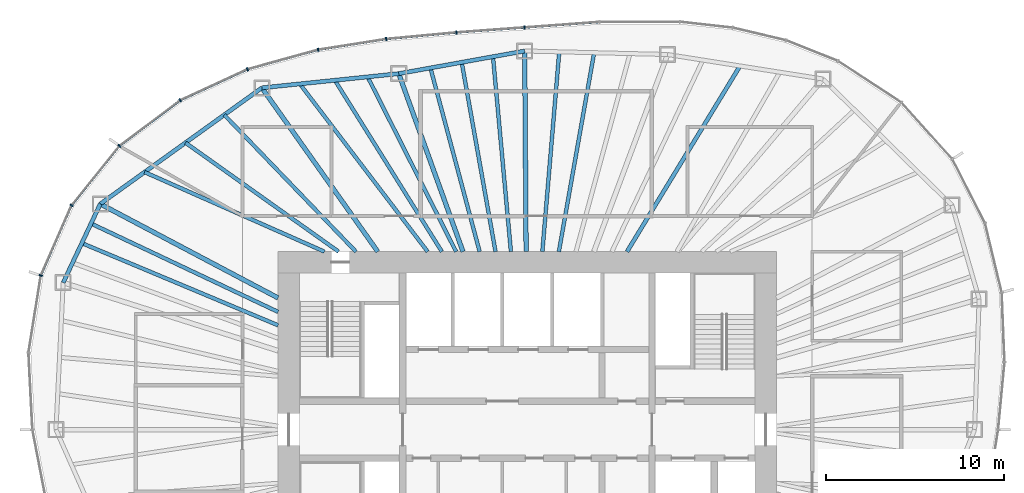
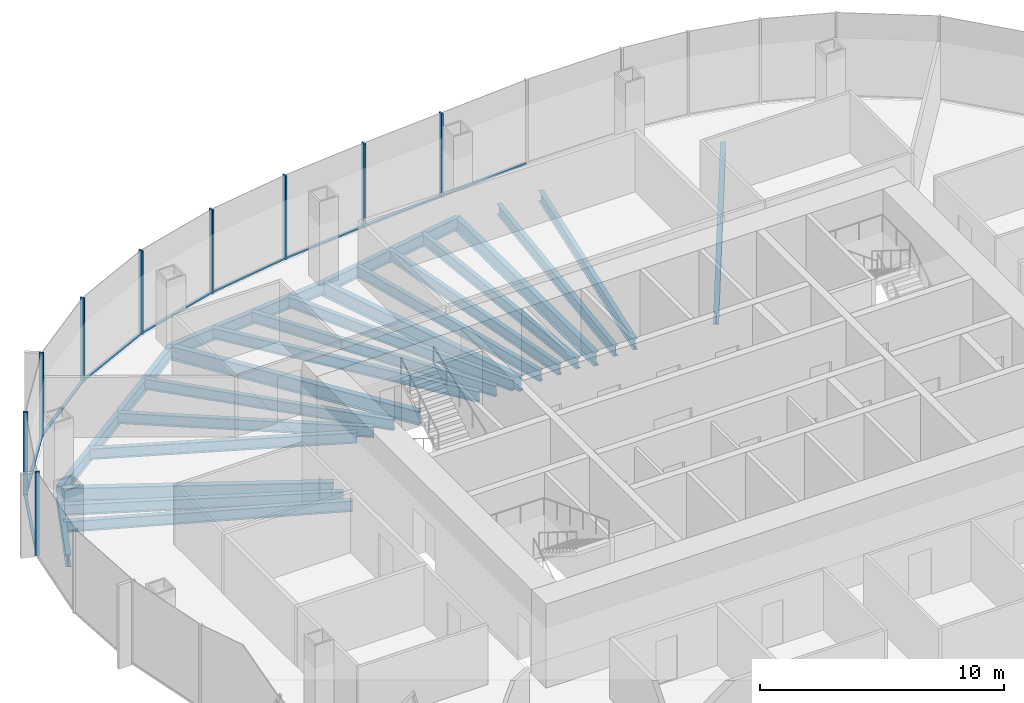
# One storey, part 5 of 11: 22 beams, 18 members, 6 elements without a shape of their own.
"""IFC4 building model written with IfcOpenShell, lengths in metres."""

from ifc_helpers import new_model, si_unit, direction, frame, origin, origin_2d, place, context, subcontext, project, spatial, rectangle, i_section, extrude, material, material_profile, profile_set, type_object, element, aggregate, save


model = new_model("IFC4")

# Units and contexts
model_context = context("Model", 3, precision=1e-05, world=origin(), true_north=direction((0.0, 1.0)))
body_context = subcontext(model_context, "Body", "Model", "MODEL_VIEW")
ifc_project = project(units=[si_unit("LENGTHUNIT", "METRE"), si_unit("AREAUNIT", "SQUARE_METRE"), si_unit("VOLUMEUNIT", "CUBIC_METRE"), si_unit("PLANEANGLEUNIT", "RADIAN"), si_unit("MASSUNIT", "GRAM", prefix="KILO")], contexts=[model_context])

# Site, building, storey
site_placement = place(None, origin())
site = spatial("IfcSite", under=ifc_project, at=site_placement, CompositionType="ELEMENT")
building_placement = place(site_placement, origin())
building = spatial("IfcBuilding", under=site, at=building_placement, Name="Ghaith Harvest Tower", CompositionType="ELEMENT")
storey_placement = place(building_placement, frame((0.0, 0.0, 262.0)))
storey = spatial("IfcBuildingStorey", under=building, at=storey_placement, Name="L58", CompositionType="ELEMENT", Elevation=262.0)

# Curtain wall, members
ifc_material_1 = material(Name="Black anodised aluminium and fritted glass", Category="aluminium")
curtain_wall_type = type_object("IfcCurtainWallType", Name="CW-H CURTAIN WALL", PredefinedType="NOTDEFINED", material=ifc_material_1)
curtain_wall_1_placement = place(storey_placement, origin())
curtain_wall_1 = element("IfcCurtainWall", 1, at=curtain_wall_1_placement, inside=storey, type_object=curtain_wall_type, Name="Curtain wall CW-H bay 06 L58", PredefinedType="NOTDEFINED")
ifc_material_2 = material(Name="Aluminium, black anodised", Category="aluminium")
ifc_material_profile_1 = material_profile(ifc_material_2, rectangle(XDim=0.080078125, YDim=0.199951171875, at=origin_2d()), Name="CW-H MULLION 80x200")
ifc_profile_set_1 = profile_set([ifc_material_profile_1], Name="Aluminium, black anodised")
member_type_1 = type_object("IfcMemberType", Name="CW-H MULLION 80x200", PredefinedType="MULLION", material=ifc_profile_set_1)
member_1_placement = place(storey_placement, frame((-0.154541015625, 22.590576171875, 0.0), z_axis=(0.0, 0.0, 1.0), x_axis=(-0.997329249665, -0.073036756239, 0.0)))
member_1 = element("IfcMember", 2, at=member_1_placement, type_object=member_type_1, Name="CW-H mullion 1 bay 06 L58", PredefinedType="MULLION", context=body_context, shape_type="SweptSolid", body=[
    extrude(rectangle(XDim=0.080078125, YDim=0.199951171875, at=origin_2d()), origin(), (0.0, 0.0, 1.0), 4.199951171875),
])
member_2_placement = place(storey_placement, frame((-3.984375, 22.310302734375, 0.0), z_axis=(0.0, 0.0, 1.0), x_axis=(-0.996522526822, -0.083323787336, 0.0)))
member_2 = element("IfcMember", 3, at=member_2_placement, type_object=member_type_1, Name="CW-H mullion 2 bay 06 L58", PredefinedType="MULLION", context=body_context, shape_type="SweptSolid", body=[
    extrude(rectangle(XDim=0.080078125, YDim=0.199951171875, at=origin_2d()), origin(), (0.0, 0.0, 1.0), 4.199951171875),
])

curtain_wall_2_placement = place(storey_placement, origin())
curtain_wall_2 = element("IfcCurtainWall", 4, at=curtain_wall_2_placement, inside=storey, type_object=curtain_wall_type, Name="Curtain wall CW-H bay 07 L58", PredefinedType="NOTDEFINED")
member_3_placement = place(storey_placement, frame((-7.924560546875, 21.94091796875, 0.0), z_axis=(0.0, 0.0, 1.0), x_axis=(-0.992235485325, -0.124373396119, 0.0)))
member_3 = element("IfcMember", 5, at=member_3_placement, type_object=member_type_1, Name="CW-H mullion 1 bay 07 L58", PredefinedType="MULLION", context=body_context, shape_type="SweptSolid", body=[
    extrude(rectangle(XDim=0.080078125, YDim=0.199951171875, at=origin_2d()), origin(), (0.0, 0.0, 1.0), 4.199951171875),
])
member_4_placement = place(storey_placement, frame((-11.75244140625, 21.336669921875, 0.0), z_axis=(0.0, 0.0, 1.0), x_axis=(-0.977086484172, -0.212842670646, 0.0)))
member_4 = element("IfcMember", 6, at=member_4_placement, type_object=member_type_1, Name="CW-H mullion 2 bay 07 L58", PredefinedType="MULLION", context=body_context, shape_type="SweptSolid", body=[
    extrude(rectangle(XDim=0.080078125, YDim=0.199951171875, at=origin_2d()), origin(), (0.0, 0.0, 1.0), 4.199951171875),
])

curtain_wall_3_placement = place(storey_placement, origin())
curtain_wall_3 = element("IfcCurtainWall", 7, at=curtain_wall_3_placement, inside=storey, type_object=curtain_wall_type, Name="Curtain wall CW-H bay 08 L58", PredefinedType="NOTDEFINED")
member_5_placement = place(storey_placement, frame((-15.720947265625, 20.242431640625, 0.0), z_axis=(0.0, 0.0, 1.0), x_axis=(-0.938930986476, -0.344105510906, 0.0)))
member_5 = element("IfcMember", 8, at=member_5_placement, type_object=member_type_1, Name="CW-H mullion 1 bay 08 L58", PredefinedType="MULLION", context=body_context, shape_type="SweptSolid", body=[
    extrude(rectangle(XDim=0.080078125, YDim=0.199951171875, at=origin_2d()), origin(), (0.0, 0.0, 1.0), 4.199951171875),
])
member_6_placement = place(storey_placement, frame((-19.4951171875, 18.4990234375, 0.0), z_axis=(0.0, 0.0, 1.0), x_axis=(-0.857998754004, -0.513651767376, 0.0)))
member_6 = element("IfcMember", 9, at=member_6_placement, type_object=member_type_1, Name="CW-H mullion 2 bay 08 L58", PredefinedType="MULLION", context=body_context, shape_type="SweptSolid", body=[
    extrude(rectangle(XDim=0.080078125, YDim=0.199951171875, at=origin_2d()), origin(), (0.0, 0.0, 1.0), 4.199951171875),
])

curtain_wall_4_placement = place(storey_placement, origin())
curtain_wall_4 = element("IfcCurtainWall", 10, at=curtain_wall_4_placement, inside=storey, type_object=curtain_wall_type, Name="Curtain wall CW-H bay 09 L58", PredefinedType="NOTDEFINED")
member_7_placement = place(storey_placement, frame((-22.908203125, 15.939697265625, 0.0), z_axis=(0.0, 0.0, 1.0), x_axis=(-0.719146135082, -0.694858860774, 0.0)))
member_7 = element("IfcMember", 11, at=member_7_placement, type_object=member_type_1, Name="CW-H mullion 1 bay 09 L58", PredefinedType="MULLION", context=body_context, shape_type="SweptSolid", body=[
    extrude(rectangle(XDim=0.080078125, YDim=0.199951171875, at=origin_2d()), origin(), (0.0, 0.0, 1.0), 4.199951171875),
])
member_8_placement = place(storey_placement, frame((-25.599609375, 12.6005859375, 0.0), z_axis=(0.0, 0.0, 1.0), x_axis=(-0.518769201232, -0.854914332464, 0.0)))
member_8 = element("IfcMember", 12, at=member_8_placement, type_object=member_type_1, Name="CW-H mullion 2 bay 09 L58", PredefinedType="MULLION", context=body_context, shape_type="SweptSolid", body=[
    extrude(rectangle(XDim=0.080078125, YDim=0.199951171875, at=origin_2d()), origin(), (0.0, 0.0, 1.0), 4.199951171875),
])

# Curtain wall, member
curtain_wall_5_placement = place(storey_placement, origin())
curtain_wall_5 = element("IfcCurtainWall", 13, at=curtain_wall_5_placement, inside=storey, type_object=curtain_wall_type, Name="Curtain wall CW-H bay 10 L58", PredefinedType="NOTDEFINED")
member_9_placement = place(storey_placement, frame((-27.32568359375, 8.659912109375, 0.0), z_axis=(0.0, 0.0, 1.0), x_axis=(-0.280520268431, -0.959848102045, 0.0)))
member_9 = element("IfcMember", 14, at=member_9_placement, type_object=member_type_1, Name="CW-H mullion 1 bay 10 L58", PredefinedType="MULLION", context=body_context, shape_type="SweptSolid", body=[
    extrude(rectangle(XDim=0.080078125, YDim=0.199951171875, at=origin_2d()), origin(), (0.0, 0.0, 1.0), 4.199951171875),
])
aggregate(curtain_wall_5, [member_9])

curtain_wall_6_placement = place(storey_placement, origin())
curtain_wall_6 = element("IfcCurtainWall", 15, at=curtain_wall_6_placement, inside=storey, type_object=curtain_wall_type, Name="Curtain wall CW-H bay 05 L58", PredefinedType="NOTDEFINED")
ifc_material_3 = material(Name="Aluminium, black anodised", Category="aluminium")
ifc_material_profile_2 = material_profile(ifc_material_3, rectangle(XDim=0.1298828125, YDim=0.080078125, at=origin_2d()), Name="CW-H TRANSOM 130x80")
ifc_profile_set_2 = profile_set([ifc_material_profile_2], Name="Aluminium, black anodised")
member_type_2 = type_object("IfcMemberType", Name="CW-H TRANSOM 130x80", PredefinedType="USERDEFINED", material=ifc_profile_set_2)
member_10_placement = place(storey_placement, frame((4.01953125, 22.896484375, 0.0400390625), z_axis=(-0.997325457985, -0.07308851384, 0.0), x_axis=(0.07308851384, -0.997325457985, 0.0)))
member_10 = element("IfcMember", 16, at=member_10_placement, type_object=member_type_2, Name="CW-H transom 2 bay 05 L58", ObjectType="TRANSOM", PredefinedType="USERDEFINED", context=body_context, shape_type="SweptSolid", body=[
    extrude(rectangle(XDim=0.1298828125, YDim=0.080078125, at=origin_2d()), origin(), (0.0, 0.0, 1.0), 4.145263671875),
])
aggregate(curtain_wall_6, [member_10])

# Member
member_11_placement = place(storey_placement, frame((-0.194580078125, 22.587646484375, 0.0400390625), z_axis=(-0.997332916649, -0.072986665689, 0.0), x_axis=(0.072986665689, -0.997332916649, 0.0)))
member_11 = element("IfcMember", 17, at=member_11_placement, type_object=member_type_2, Name="CW-H transom 1 bay 06 L58", ObjectType="TRANSOM", PredefinedType="USERDEFINED", context=body_context, shape_type="SweptSolid", body=[
    extrude(rectangle(XDim=0.1298828125, YDim=0.080078125, at=origin_2d()), origin(), (0.0, 0.0, 1.0), 3.759765625),
])

member_12_placement = place(storey_placement, frame((-4.024169921875, 22.306640625, 0.0400390625), z_axis=(-0.995631116984, -0.093373866217, 0.0), x_axis=(0.093373866217, -0.995631116984, 0.0)))
member_12 = element("IfcMember", 18, at=member_12_placement, type_object=member_type_2, Name="CW-H transom 2 bay 06 L58", ObjectType="TRANSOM", PredefinedType="USERDEFINED", context=body_context, shape_type="SweptSolid", body=[
    extrude(rectangle(XDim=0.1298828125, YDim=0.080078125, at=origin_2d()), origin(), (0.0, 0.0, 1.0), 3.87744140625),
])

aggregate(curtain_wall_1, [member_1, member_11, member_2, member_12])

member_13_placement = place(storey_placement, frame((-7.964111328125, 21.9345703125, 0.0400390625), z_axis=(-0.98776765914, -0.155932843097, 0.0), x_axis=(0.155932843097, -0.98776765914, 0.0)))
member_13 = element("IfcMember", 19, at=member_13_placement, type_object=member_type_2, Name="CW-H transom 1 bay 07 L58", ObjectType="TRANSOM", PredefinedType="USERDEFINED", context=body_context, shape_type="SweptSolid", body=[
    extrude(rectangle(XDim=0.1298828125, YDim=0.080078125, at=origin_2d()), origin(), (0.0, 0.0, 1.0), 3.795166015625),
])

member_14_placement = place(storey_placement, frame((-11.791015625, 21.325927734375, 0.0400390625), z_axis=(-0.964038584245, -0.265762315024, 0.0), x_axis=(0.265762315024, -0.964038584245, 0.0)))
member_14 = element("IfcMember", 20, at=member_14_placement, type_object=member_type_2, Name="CW-H transom 2 bay 07 L58", ObjectType="TRANSOM", PredefinedType="USERDEFINED", context=body_context, shape_type="SweptSolid", body=[
    extrude(rectangle(XDim=0.1298828125, YDim=0.080078125, at=origin_2d()), origin(), (0.0, 0.0, 1.0), 4.03662109375),
])

aggregate(curtain_wall_2, [member_3, member_13, member_4, member_14])

member_15_placement = place(storey_placement, frame((-15.75732421875, 20.2255859375, 0.0400390625), z_axis=(-0.907831404762, -0.419335355686, 0.0), x_axis=(0.419335355686, -0.907831404762, 0.0)))
member_15 = element("IfcMember", 21, at=member_15_placement, type_object=member_type_2, Name="CW-H transom 1 bay 08 L58", ObjectType="TRANSOM", PredefinedType="USERDEFINED", context=body_context, shape_type="SweptSolid", body=[
    extrude(rectangle(XDim=0.1298828125, YDim=0.080078125, at=origin_2d()), origin(), (0.0, 0.0, 1.0), 4.0771484375),
])

member_16_placement = place(storey_placement, frame((-19.527099609375, 18.47509765625, 0.0400390625), z_axis=(-0.800041988873, -0.599944010755, 0.0), x_axis=(0.599944010755, -0.800041988873, 0.0)))
member_16 = element("IfcMember", 22, at=member_16_placement, type_object=member_type_2, Name="CW-H transom 2 bay 08 L58", ObjectType="TRANSOM", PredefinedType="USERDEFINED", context=body_context, shape_type="SweptSolid", body=[
    extrude(rectangle(XDim=0.1298828125, YDim=0.080078125, at=origin_2d()), origin(), (0.0, 0.0, 1.0), 4.186279296875),
])

aggregate(curtain_wall_3, [member_5, member_15, member_6, member_16])

member_17_placement = place(storey_placement, frame((-22.933349609375, 15.90869140625, 0.0400390625), z_axis=(-0.6275347306, -0.778588570357, 0.0), x_axis=(0.778588570357, -0.6275347306, 0.0)))
member_17 = element("IfcMember", 23, at=member_17_placement, type_object=member_type_2, Name="CW-H transom 1 bay 09 L58", ObjectType="TRANSOM", PredefinedType="USERDEFINED", context=body_context, shape_type="SweptSolid", body=[
    extrude(rectangle(XDim=0.1298828125, YDim=0.080078125, at=origin_2d()), origin(), (0.0, 0.0, 1.0), 4.208740234375),
])

member_18_placement = place(storey_placement, frame((-25.61572265625, 12.56396484375, 0.0400390625), z_axis=(-0.401185844746, -0.915996680112, 0.0), x_axis=(0.915996680112, -0.401185844746, 0.0)))
member_18 = element("IfcMember", 24, at=member_18_placement, type_object=member_type_2, Name="CW-H transom 2 bay 09 L58", ObjectType="TRANSOM", PredefinedType="USERDEFINED", context=body_context, shape_type="SweptSolid", body=[
    extrude(rectangle(XDim=0.1298828125, YDim=0.080078125, at=origin_2d()), origin(), (0.0, 0.0, 1.0), 4.22216796875),
])

aggregate(curtain_wall_4, [member_7, member_17, member_8, member_18])

# Beams
ifc_material_4 = material(Name="Steel ASTM A992 Grade 50", Category="steel")
ifc_material_profile_3 = material_profile(ifc_material_4, i_section(OverallWidth=0.22900390625, OverallDepth=0.612060546875, WebThickness=0.011962890625, FlangeThickness=0.01953125, at=origin_2d()), Name="W610X125")
ifc_profile_set_3 = profile_set([ifc_material_profile_3], Name="Steel ASTM A992 Grade 50")
beam_type_1 = type_object("IfcBeamType", Name="E610-125 W610X125", PredefinedType="SPANDREL", material=ifc_profile_set_3)
beam_1_placement = place(storey_placement, frame((-0.14599609375, 21.27099609375, -0.47607421875), z_axis=(-0.984177047684, -0.177187863051, 0.0), x_axis=(0.177187863051, -0.984177047684, 0.0)))
element("IfcBeam", 25, at=beam_1_placement, inside=storey, type_object=beam_type_1, Name="Edge beam E06 L58", PredefinedType="SPANDREL", context=body_context, shape_type="SweptSolid", body=[
    extrude(i_section(OverallWidth=0.22900390625, OverallDepth=0.612060546875, WebThickness=0.011962890625, FlangeThickness=0.01953125, at=origin_2d()), origin(), (0.0, 0.0, 1.0), 7.189697265625),
])
beam_2_placement = place(storey_placement, frame((-7.221923828125, 19.9970703125, -0.47607421875), z_axis=(-0.994669141618, -0.103117887451, 0.0), x_axis=(0.103117887451, -0.994669141618, 0.0)))
element("IfcBeam", 26, at=beam_2_placement, inside=storey, type_object=beam_type_1, Name="Edge beam E07 L58", PredefinedType="SPANDREL", context=body_context, shape_type="SweptSolid", body=[
    extrude(i_section(OverallWidth=0.22900390625, OverallDepth=0.612060546875, WebThickness=0.011962890625, FlangeThickness=0.01953125, at=origin_2d()), origin(), (0.0, 0.0, 1.0), 7.730224609375),
])
beam_3_placement = place(storey_placement, frame((-14.910888671875, 19.199951171875, -0.47607421875), z_axis=(-0.812050311838, -0.583587432219, 0.0), x_axis=(0.583587432219, -0.812050311838, 0.0)))
element("IfcBeam", 27, at=beam_3_placement, inside=storey, type_object=beam_type_1, Name="Edge beam E08 L58", PredefinedType="SPANDREL", context=body_context, shape_type="SweptSolid", body=[
    extrude(i_section(OverallWidth=0.22900390625, OverallDepth=0.612060546875, WebThickness=0.011962890625, FlangeThickness=0.01953125, at=origin_2d()), origin(), (0.0, 0.0, 1.0), 11.175537109375),
])
beam_4_placement = place(storey_placement, frame((-23.986083984375, 12.677978515625, -0.47607421875), z_axis=(-0.426170247297, -0.904642979478, 0.0), x_axis=(0.904642979478, -0.426170247297, 0.0)))
element("IfcBeam", 28, at=beam_4_placement, inside=storey, type_object=beam_type_1, Name="Edge beam E09 L58", PredefinedType="SPANDREL", context=body_context, shape_type="SweptSolid", body=[
    extrude(i_section(OverallWidth=0.22900390625, OverallDepth=0.612060546875, WebThickness=0.011962890625, FlangeThickness=0.01953125, at=origin_2d()), origin(), (0.0, 0.0, 1.0), 4.882568359375),
])
ifc_material_5 = material(Name="Steel ASTM A992 Grade 50", Category="steel")
ifc_material_profile_4 = material_profile(ifc_material_5, i_section(OverallWidth=0.256103515625, OverallDepth=0.693115234375, WebThickness=0.014404296875, FlangeThickness=0.023681640625, at=origin_2d()), Name="W690X170")
ifc_profile_set_4 = profile_set([ifc_material_profile_4], Name="Steel ASTM A992 Grade 50")
beam_type_2 = type_object("IfcBeamType", Name="G690-170 W690X170", PredefinedType="BEAM", material=ifc_profile_set_4)
beam_5_placement = place(storey_placement, frame((-0.068359375, 10.0, -0.5166015625), z_axis=(-0.006888022705, 0.99997627729, 0.0), x_axis=(-0.99997627729, -0.006888022705, 0.0)))
element("IfcBeam", 29, at=beam_5_placement, inside=storey, type_object=beam_type_2, Name="Radial girder G06 L58", PredefinedType="BEAM", context=body_context, shape_type="SweptSolid", body=[
    extrude(i_section(OverallWidth=0.256103515625, OverallDepth=0.693115234375, WebThickness=0.014404296875, FlangeThickness=0.023681640625, at=origin_2d()), origin(), (0.0, 0.0, 1.0), 11.271240234375),
])
beam_6_placement = place(storey_placement, frame((-3.61181640625, 10.0, -0.5166015625), z_axis=(-0.339648979266, 0.940552269086, 0.0), x_axis=(-0.940552269086, -0.339648979266, 0.0)))
element("IfcBeam", 30, at=beam_6_placement, inside=storey, type_object=beam_type_2, Name="Radial girder G07 L58", PredefinedType="BEAM", context=body_context, shape_type="SweptSolid", body=[
    extrude(i_section(OverallWidth=0.256103515625, OverallDepth=0.693115234375, WebThickness=0.014404296875, FlangeThickness=0.023681640625, at=origin_2d()), origin(), (0.0, 0.0, 1.0), 10.62890625),
])
beam_7_placement = place(storey_placement, frame((-8.39990234375, 10.0, -0.5166015625), z_axis=(-0.577683734365, 0.816260683268, 0.0), x_axis=(-0.816260683268, -0.577683734365, 0.0)))
element("IfcBeam", 31, at=beam_7_placement, inside=storey, type_object=beam_type_2, Name="Radial girder G08 L58", PredefinedType="BEAM", context=body_context, shape_type="SweptSolid", body=[
    extrude(i_section(OverallWidth=0.256103515625, OverallDepth=0.693115234375, WebThickness=0.014404296875, FlangeThickness=0.023681640625, at=origin_2d()), origin(), (0.0, 0.0, 1.0), 11.270751953125),
])
beam_8_placement = place(storey_placement, frame((-14.0, 7.39990234375, -0.5166015625), z_axis=(-0.884105273337, 0.467287776062, 0.0), x_axis=(-0.467287776062, -0.884105273337, 0.0)))
element("IfcBeam", 32, at=beam_8_placement, inside=storey, type_object=beam_type_2, Name="Radial girder G09 L58", PredefinedType="BEAM", context=body_context, shape_type="SweptSolid", body=[
    extrude(i_section(OverallWidth=0.256103515625, OverallDepth=0.693115234375, WebThickness=0.014404296875, FlangeThickness=0.023681640625, at=origin_2d()), origin(), (0.0, 0.0, 1.0), 11.295166015625),
])
ifc_material_6 = material(Name="Steel ASTM A992 Grade 50", Category="steel")
ifc_material_profile_5 = material_profile(ifc_material_6, i_section(OverallWidth=0.2109375, OverallDepth=0.5390625, WebThickness=0.01171875, FlangeThickness=0.018798828125, at=origin_2d()), Name="W530X109")
ifc_profile_set_5 = profile_set([ifc_material_profile_5], Name="Steel ASTM A992 Grade 50")
beam_type_3 = type_object("IfcBeamType", Name="J530-109 W530X109", PredefinedType="JOIST", material=ifc_profile_set_5)
beam_9_placement = place(storey_placement, frame((1.772705078125, 10.0, -0.439453125), z_axis=(0.17455599258, 0.984647249249, 0.0), x_axis=(-0.984647249249, 0.17455599258, 0.0)))
element("IfcBeam", 33, at=beam_9_placement, inside=storey, type_object=beam_type_3, Name="Joist J05.2 L58", PredefinedType="JOIST", context=body_context, shape_type="SweptSolid", body=[
    extrude(i_section(OverallWidth=0.2109375, OverallDepth=0.5390625, WebThickness=0.01171875, FlangeThickness=0.018798828125, at=origin_2d()), origin(), (0.0, 0.0, 1.0), 11.3486328125),
])
beam_10_placement = place(storey_placement, frame((0.844970703125, 10.0, -0.439453125), z_axis=(0.084213263804, 0.996447753873, 0.0), x_axis=(-0.996447753873, 0.084213263804, 0.0)))
element("IfcBeam", 34, at=beam_10_placement, inside=storey, type_object=beam_type_3, Name="Joist J05.3 L58", PredefinedType="JOIST", context=body_context, shape_type="SweptSolid", body=[
    extrude(i_section(OverallWidth=0.2109375, OverallDepth=0.5390625, WebThickness=0.01171875, FlangeThickness=0.018798828125, at=origin_2d()), origin(), (0.0, 0.0, 1.0), 11.262939453125),
])
beam_11_placement = place(storey_placement, frame((-0.92041015625, 10.0, -0.439453125), z_axis=(-0.091648687045, 0.995791402937, 0.0), x_axis=(-0.995791402937, -0.091648687045, 0.0)))
element("IfcBeam", 35, at=beam_11_placement, inside=storey, type_object=beam_type_3, Name="Joist J06.1 L58", PredefinedType="JOIST", context=body_context, shape_type="SweptSolid", body=[
    extrude(i_section(OverallWidth=0.2109375, OverallDepth=0.5390625, WebThickness=0.01171875, FlangeThickness=0.018798828125, at=origin_2d()), origin(), (0.0, 0.0, 1.0), 10.99658203125),
])
beam_12_placement = place(storey_placement, frame((-1.785888671875, 10.0, -0.439453125), z_axis=(-0.175793767479, 0.984427016754, 0.0), x_axis=(-0.984427016754, -0.175793767479, 0.0)))
element("IfcBeam", 36, at=beam_12_placement, inside=storey, type_object=beam_type_3, Name="Joist J06.2 L58", PredefinedType="JOIST", context=body_context, shape_type="SweptSolid", body=[
    extrude(i_section(OverallWidth=0.2109375, OverallDepth=0.5390625, WebThickness=0.01171875, FlangeThickness=0.018798828125, at=origin_2d()), origin(), (0.0, 0.0, 1.0), 10.802001953125),
])
beam_13_placement = place(storey_placement, frame((-2.677978515625, 10.0, -0.439453125), z_axis=(-0.258674007994, 0.965964677195, 0.0), x_axis=(-0.965964677195, -0.258674007994, 0.0)))
element("IfcBeam", 37, at=beam_13_placement, inside=storey, type_object=beam_type_3, Name="Joist J06.3 L58", PredefinedType="JOIST", context=body_context, shape_type="SweptSolid", body=[
    extrude(i_section(OverallWidth=0.2109375, OverallDepth=0.5390625, WebThickness=0.01171875, FlangeThickness=0.018798828125, at=origin_2d()), origin(), (0.0, 0.0, 1.0), 10.68115234375),
])
beam_14_placement = place(storey_placement, frame((-4.0, 10.0, -0.439453125), z_axis=(-0.451646219201, 0.892197115374, 0.0), x_axis=(-0.892197115374, -0.451646219201, 0.0)))
element("IfcBeam", 38, at=beam_14_placement, inside=storey, type_object=beam_type_3, Name="Joist J07.1 L58", PredefinedType="JOIST", context=body_context, shape_type="SweptSolid", body=[
    extrude(i_section(OverallWidth=0.2109375, OverallDepth=0.5390625, WebThickness=0.01171875, FlangeThickness=0.018798828125, at=origin_2d()), origin(), (0.0, 0.0, 1.0), 11.001953125),
])
beam_15_placement = place(storey_placement, frame((-4.800048828125, 10.0, -0.439453125), z_axis=(-0.529627564093, 0.848230300893, 0.0), x_axis=(-0.848230300893, -0.529627564093, 0.0)))
element("IfcBeam", 39, at=beam_15_placement, inside=storey, type_object=beam_type_3, Name="Joist J07.2 L58", PredefinedType="JOIST", context=body_context, shape_type="SweptSolid", body=[
    extrude(i_section(OverallWidth=0.2109375, OverallDepth=0.5390625, WebThickness=0.01171875, FlangeThickness=0.018798828125, at=origin_2d()), origin(), (0.0, 0.0, 1.0), 11.34716796875),
])
beam_16_placement = place(storey_placement, frame((-5.60009765625, 10.0, -0.439453125), z_axis=(-0.605976135502, 0.795482823952, 0.0), x_axis=(-0.795482823952, -0.605976135502, 0.0)))
element("IfcBeam", 40, at=beam_16_placement, inside=storey, type_object=beam_type_3, Name="Joist J07.3 L58", PredefinedType="JOIST", context=body_context, shape_type="SweptSolid", body=[
    extrude(i_section(OverallWidth=0.2109375, OverallDepth=0.5390625, WebThickness=0.01171875, FlangeThickness=0.018798828125, at=origin_2d()), origin(), (0.0, 0.0, 1.0), 11.84326171875),
])
beam_17_placement = place(storey_placement, frame((-9.626708984375, 10.0, -0.439453125), z_axis=(-0.69354049188, 0.720417647009, 0.0), x_axis=(-0.720417647009, -0.69354049188, 0.0)))
element("IfcBeam", 41, at=beam_17_placement, inside=storey, type_object=beam_type_3, Name="Joist J08.1 L58", PredefinedType="JOIST", context=body_context, shape_type="SweptSolid", body=[
    extrude(i_section(OverallWidth=0.2109375, OverallDepth=0.5390625, WebThickness=0.01171875, FlangeThickness=0.018798828125, at=origin_2d()), origin(), (0.0, 0.0, 1.0), 10.6640625),
])
beam_18_placement = place(storey_placement, frame((-10.60009765625, 10.0, -0.439453125), z_axis=(-0.814837070547, 0.579690045164, 0.0), x_axis=(-0.579690045164, -0.814837070547, 0.0)))
element("IfcBeam", 42, at=beam_18_placement, inside=storey, type_object=beam_type_3, Name="Joist J08.2 L58", PredefinedType="JOIST", context=body_context, shape_type="SweptSolid", body=[
    extrude(i_section(OverallWidth=0.2109375, OverallDepth=0.5390625, WebThickness=0.01171875, FlangeThickness=0.018798828125, at=origin_2d()), origin(), (0.0, 0.0, 1.0), 10.5537109375),
])
beam_19_placement = place(storey_placement, frame((-11.39990234375, 10.0, -0.439453125), z_axis=(-0.914561290029, 0.40444733499, 0.0), x_axis=(-0.40444733499, -0.914561290029, 0.0)))
element("IfcBeam", 43, at=beam_19_placement, inside=storey, type_object=beam_type_3, Name="Joist J08.3 L58", PredefinedType="JOIST", context=body_context, shape_type="SweptSolid", body=[
    extrude(i_section(OverallWidth=0.2109375, OverallDepth=0.5390625, WebThickness=0.01171875, FlangeThickness=0.018798828125, at=origin_2d()), origin(), (0.0, 0.0, 1.0), 11.041748046875),
])
beam_20_placement = place(storey_placement, frame((-14.0, 6.614990234375, -0.439453125), z_axis=(-0.904154184779, 0.427206285238, 0.0), x_axis=(-0.427206285238, -0.904154184779, 0.0)))
element("IfcBeam", 44, at=beam_20_placement, inside=storey, type_object=beam_type_3, Name="Joist J09.1 L58", PredefinedType="JOIST", context=body_context, shape_type="SweptSolid", body=[
    extrude(i_section(OverallWidth=0.2109375, OverallDepth=0.5390625, WebThickness=0.01171875, FlangeThickness=0.018798828125, at=origin_2d()), origin(), (0.0, 0.0, 1.0), 11.61767578125),
])
beam_21_placement = place(storey_placement, frame((-14.0, 5.862548828125, -0.439453125), z_axis=(-0.922380898158, 0.386281605455, 0.0), x_axis=(-0.386281605455, -0.922380898158, 0.0)))
element("IfcBeam", 45, at=beam_21_placement, inside=storey, type_object=beam_type_3, Name="Joist J09.2 L58", PredefinedType="JOIST", context=body_context, shape_type="SweptSolid", body=[
    extrude(i_section(OverallWidth=0.2109375, OverallDepth=0.5390625, WebThickness=0.01171875, FlangeThickness=0.018798828125, at=origin_2d()), origin(), (0.0, 0.0, 1.0), 11.94970703125),
])
ifc_material_7 = material(Name="Steel ASTM A992 Grade 50", Category="steel")
ifc_material_profile_6 = material_profile(ifc_material_7, i_section(OverallWidth=0.22900390625, OverallDepth=0.612060546875, WebThickness=0.011962890625, FlangeThickness=0.01953125, at=origin_2d()), Name="W610X125")
ifc_profile_set_6 = profile_set([ifc_material_profile_6], Name="Steel ASTM A992 Grade 50")
beam_type_4 = type_object("IfcBeamType", Name="J610-125 W610X125", PredefinedType="JOIST", material=ifc_profile_set_6)
beam_22_placement = place(storey_placement, frame((5.60009765625, 10.0, -0.47607421875), z_axis=(0.519863845761, 0.854249133374, 0.0), x_axis=(-0.854249133374, 0.519863845761, 0.0)))
element("IfcBeam", 46, at=beam_22_placement, inside=storey, type_object=beam_type_4, Name="Joist J04.2 L58", PredefinedType="JOIST", context=body_context, shape_type="SweptSolid", body=[
    extrude(i_section(OverallWidth=0.22900390625, OverallDepth=0.612060546875, WebThickness=0.011962890625, FlangeThickness=0.01953125, at=origin_2d()), origin(), (0.0, 0.0, 1.0), 12.209716796875),
])

save(model, "model.ifc")
